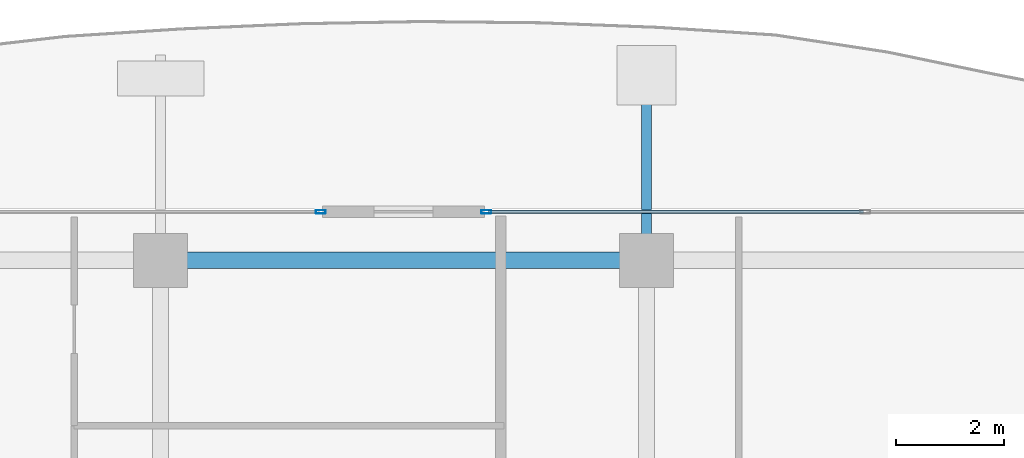
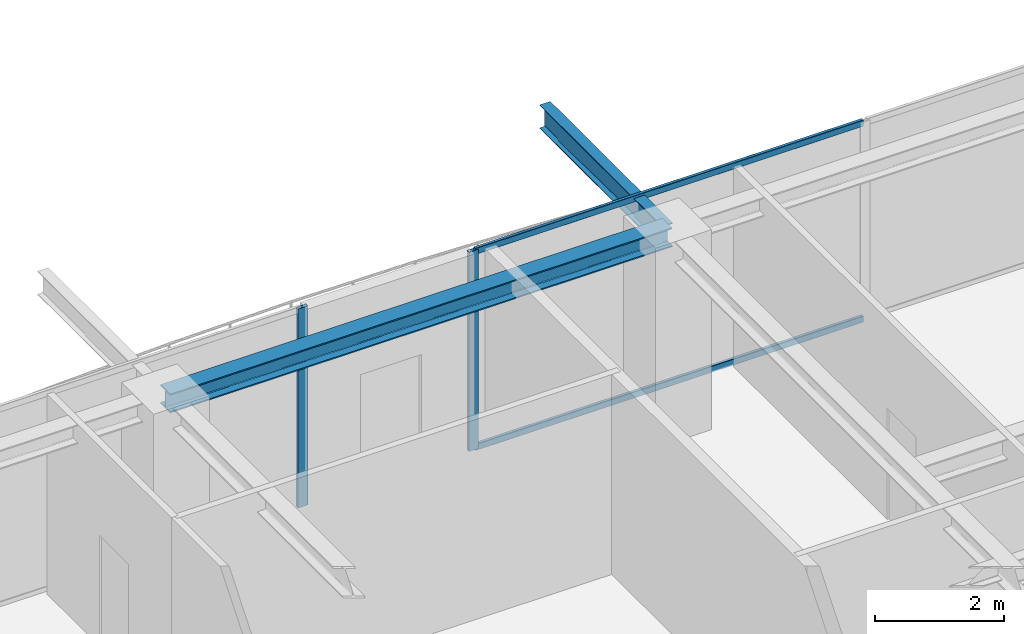
# One storey, part 23 of 39: 4 members, 2 beams, 2 elements without a shape of their own.
"""IFC4 building model written with IfcOpenShell, lengths in metres."""

from ifc_helpers import new_model, si_unit, direction, frame, origin, origin_2d, place, context, subcontext, project, spatial, hollow_rectangle, i_section, extrude, source, transform, mapped, material, layer, layer_set, material_profile, profile_set, type_object, element, aggregate, save


model = new_model("IFC4")

# Units and contexts
model_context = context("Model", 3, precision=1e-05, world=origin(), true_north=direction((0.0, 1.0)))
body_context = subcontext(model_context, "Body", "Model", "MODEL_VIEW")
ifc_project = project(units=[si_unit("LENGTHUNIT", "METRE"), si_unit("AREAUNIT", "SQUARE_METRE"), si_unit("VOLUMEUNIT", "CUBIC_METRE"), si_unit("PLANEANGLEUNIT", "RADIAN"), si_unit("MASSUNIT", "GRAM", prefix="KILO")], contexts=[model_context])

# Site, building, storey
site_placement = place(None, origin())
site = spatial("IfcSite", under=ifc_project, at=site_placement, CompositionType="ELEMENT")
building_placement = place(site_placement, origin())
building = spatial("IfcBuilding", under=site, at=building_placement, Name="Serunith Strait Residences", CompositionType="ELEMENT")
storey_placement = place(building_placement, frame((0.0, 0.0, 329.89990234375)))
storey = spatial("IfcBuildingStorey", under=building, at=storey_placement, Name="L82", CompositionType="ELEMENT", Elevation=329.89990234375)

# Beams
ifc_material_1 = material(Name="Steel S355J2", Category="steel")
ifc_material_profile_1 = material_profile(ifc_material_1, i_section(OverallWidth=0.300048828125, OverallDepth=0.360107421875, WebThickness=0.012451171875, FlangeThickness=0.0224609375, FilletRadius=0.027099609375, at=origin_2d()), Name="HEB 360")
ifc_profile_set_1 = profile_set([ifc_material_profile_1], Name="Steel S355J2")
beam_type_1 = type_object("IfcBeamType", Name="BM-HEB360", PredefinedType="BEAM", material=ifc_profile_set_1)
shared_shape_1 = source(origin(), body_context, "Body", "SweptSolid", [
    extrude(i_section(OverallWidth=0.300048828125, OverallDepth=0.360107421875, WebThickness=0.012451171875, FlangeThickness=0.0224609375, FilletRadius=0.027099609375, at=origin_2d()), origin(), (0.0, 0.0, 1.0), 9.0),
])
beam_1_placement = place(storey_placement, frame((36.89990234375, 47.10009765625, 3.607177734375), z_axis=(-1.0, 0.0, 0.0), x_axis=(0.0, -1.0, 0.0)))
element("IfcBeam", 1, at=beam_1_placement, inside=storey, type_object=beam_type_1, Name="L82 Perimeter Ring Beam 10", PredefinedType="BEAM", context=body_context, shape_type="MappedRepresentation", body=[
    mapped(shared_shape_1, transform((0.0, 0.0, 0.0), scale=1.0)),
])
ifc_material_profile_2 = material_profile(ifc_material_1, i_section(OverallWidth=0.18994140625, OverallDepth=0.449951171875, WebThickness=0.009521484375, FlangeThickness=0.0146484375, FilletRadius=0.02099609375, at=origin_2d()), Name="IPE 450")
ifc_profile_set_2 = profile_set([ifc_material_profile_2], Name="Steel S355J2")
beam_type_2 = type_object("IfcBeamType", Name="BM-IPE450", PredefinedType="JOIST", material=ifc_profile_set_2)
shared_shape_2 = source(origin(), body_context, "Body", "SweptSolid", [
    extrude(i_section(OverallWidth=0.18994140625, OverallDepth=0.449951171875, WebThickness=0.009521484375, FlangeThickness=0.0146484375, FilletRadius=0.02099609375, at=origin_2d()), origin(), (0.0, 0.0, 1.0), 3.7998046875),
])
beam_2_placement = place(storey_placement, frame((36.89990234375, 47.10009765625, 3.531982421875), z_axis=(0.0, 1.0, 0.0), x_axis=(-1.0, 0.0, 0.0)))
element("IfcBeam", 2, at=beam_2_placement, inside=storey, type_object=beam_type_2, Name="L83 Cantilevered Balcony Rib TC-N3", PredefinedType="JOIST", context=body_context, shape_type="MappedRepresentation", body=[
    mapped(shared_shape_2, transform((0.0, 0.0, 0.0), scale=1.0)),
])

# Curtain wall, member
ifc_material_2 = material(Name="Brushed Stainless-Silver Aluminium", Category="aluminium")
ifc_layer = layer(ifc_material_2, 0.199951171875, Name="Brushed Stainless-Silver Aluminium")
ifc_layer_set = layer_set([ifc_layer], Name="Brushed Stainless-Silver Aluminium")
curtain_wall_type = type_object("IfcCurtainWallType", Name="CW-SYS5", PredefinedType="NOTDEFINED", material=ifc_layer_set)
curtain_wall_1_placement = place(storey_placement, origin())
curtain_wall_1 = element("IfcCurtainWall", 3, at=curtain_wall_1_placement, inside=storey, type_object=curtain_wall_type, Name="L82 N Unitised Fritted Curtain Wall", PredefinedType="NOTDEFINED")
ifc_material_profile_3 = material_profile(ifc_material_2, hollow_rectangle(XDim=0.06494140625, YDim=0.179931640625, WallThickness=0.00341796875, InnerFilletRadius=0.00537109375, OuterFilletRadius=0.0087890625, at=origin_2d()), Name="ALU 180x65x3.5")
ifc_profile_set_3 = profile_set([ifc_material_profile_3], Name="Brushed Stainless-Silver Aluminium")
member_type_1 = type_object("IfcMemberType", Name="CW-SYS5-MULL", PredefinedType="MULLION", material=ifc_profile_set_3)
shared_shape_3 = source(origin(), body_context, "Body", "SweptSolid", [
    extrude(hollow_rectangle(XDim=0.06494140625, YDim=0.179931640625, WallThickness=0.00341796875, InnerFilletRadius=0.00537109375, OuterFilletRadius=0.0087890625, at=origin_2d()), origin(), (0.0, 0.0, 1.0), 3.775146484375),
])
member_1_placement = place(storey_placement, frame((33.9326171875, 48.0, 0.0), z_axis=(0.0, 0.0, 1.0), x_axis=(0.0, -1.0, 0.0)))
member_1 = element("IfcMember", 4, at=member_1_placement, type_object=member_type_1, Name="CW-5 mullion 3", PredefinedType="MULLION", context=body_context, shape_type="MappedRepresentation", body=[
    mapped(shared_shape_3, transform((0.0, 0.0, 0.0), scale=1.0)),
])

curtain_wall_2_placement = place(storey_placement, origin())
curtain_wall_2 = element("IfcCurtainWall", 5, at=curtain_wall_2_placement, inside=storey, type_object=curtain_wall_type, Name="L82 N Unitised Fritted Curtain Wall", PredefinedType="NOTDEFINED")
member_2_placement = place(storey_placement, frame((30.867431640625, 48.0, 0.0), z_axis=(0.0, 0.0, 1.0), x_axis=(0.0, -1.0, 0.0)))
member_2 = element("IfcMember", 6, at=member_2_placement, type_object=member_type_1, Name="CW-5 mullion 1", PredefinedType="MULLION", context=body_context, shape_type="MappedRepresentation", body=[
    mapped(shared_shape_3, transform((0.0, 0.0, 0.0), scale=1.0)),
])
aggregate(curtain_wall_2, [member_2])

# Member
ifc_material_profile_4 = material_profile(ifc_material_2, hollow_rectangle(XDim=0.06005859375, YDim=0.1201171875, WallThickness=0.00341796875, InnerFilletRadius=0.00537109375, OuterFilletRadius=0.0087890625, at=origin_2d()), Name="ALU 120x60x3.5")
ifc_profile_set_4 = profile_set([ifc_material_profile_4], Name="Brushed Stainless-Silver Aluminium")
member_type_2 = type_object("IfcMemberType", Name="CW-SYS5-TRAN", PredefinedType="USERDEFINED", material=ifc_profile_set_4)
shared_shape_4 = source(origin(), body_context, "Body", "SweptSolid", [
    extrude(hollow_rectangle(XDim=0.06005859375, YDim=0.1201171875, WallThickness=0.00341796875, InnerFilletRadius=0.00537109375, OuterFilletRadius=0.0087890625, at=origin_2d()), origin(), (0.0, 0.0, 1.0), 6.952392578125),
])
member_3_placement = place(storey_placement, frame((40.91748046875, 48.0, 0.030029296875), z_axis=(-1.0, 0.0, 0.0), x_axis=(0.0, -1.0, 0.0)))
member_3 = element("IfcMember", 7, at=member_3_placement, type_object=member_type_2, Name="CW-5 transom 2.1", ObjectType="TRANSOM", PredefinedType="USERDEFINED", context=body_context, shape_type="MappedRepresentation", body=[
    mapped(shared_shape_4, transform((0.0, 0.0, 0.0), scale=1.0)),
])

member_4_placement = place(storey_placement, frame((40.91748046875, 48.0, 3.7451171875), z_axis=(-1.0, 0.0, 0.0), x_axis=(0.0, -1.0, 0.0)))
member_4 = element("IfcMember", 8, at=member_4_placement, type_object=member_type_2, Name="CW-5 transom 2.2", ObjectType="TRANSOM", PredefinedType="USERDEFINED", context=body_context, shape_type="MappedRepresentation", body=[
    mapped(shared_shape_4, transform((0.0, 0.0, 0.0), scale=1.0)),
])

aggregate(curtain_wall_1, [member_1, member_3, member_4])

save(model, "model.ifc")
